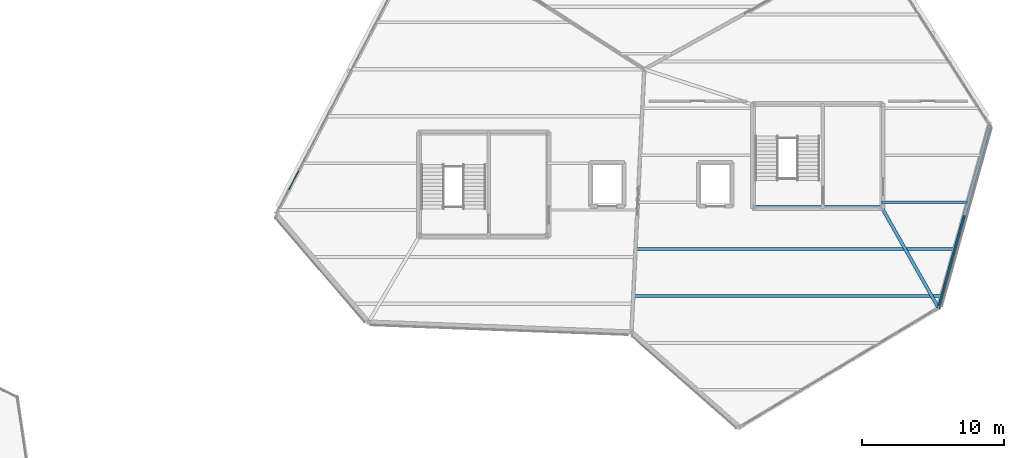
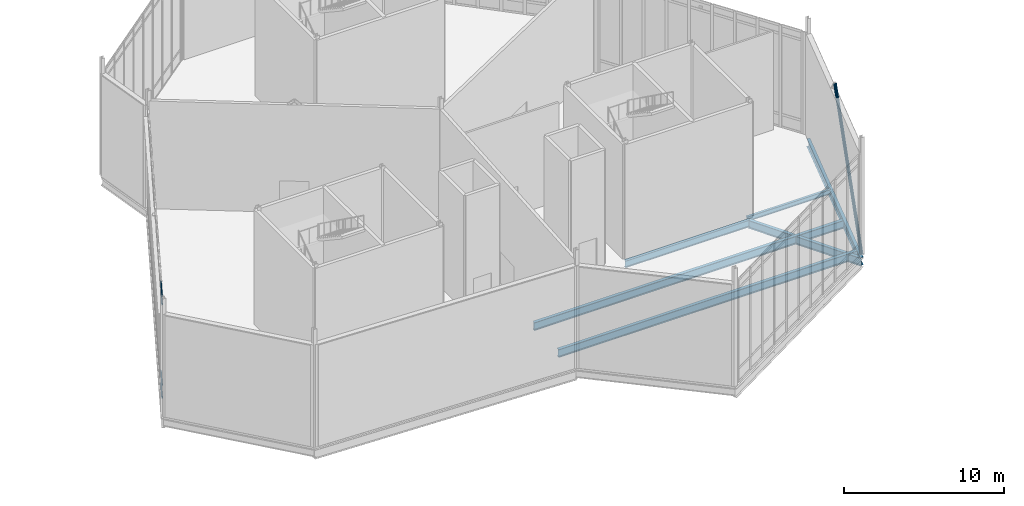
# One storey, part 34 of 66: 6 beams, 5 members, 1 element without a shape of its own.
"""IFC4 building model written with IfcOpenShell, lengths in metres."""

from ifc_helpers import new_model, si_unit, direction, frame, origin, origin_2d, place, context, subcontext, project, spatial, rectangle, hollow_circle, i_section, extrude, material, material_profile, profile_set, type_object, element, aggregate, save


model = new_model("IFC4")

# Units and contexts
model_context = context("Model", 3, precision=1e-05, world=origin(), true_north=direction((0.0, 1.0)))
body_context = subcontext(model_context, "Body", "Model", "MODEL_VIEW")
ifc_project = project(units=[si_unit("LENGTHUNIT", "METRE"), si_unit("AREAUNIT", "SQUARE_METRE"), si_unit("VOLUMEUNIT", "CUBIC_METRE"), si_unit("PLANEANGLEUNIT", "RADIAN"), si_unit("MASSUNIT", "GRAM", prefix="KILO")], contexts=[model_context])

# Site, building, storey
site_placement = place(None, origin())
site = spatial("IfcSite", under=ifc_project, at=site_placement, CompositionType="ELEMENT")
building_placement = place(site_placement, origin())
building = spatial("IfcBuilding", under=site, at=building_placement, Name="Tameran Prism Museum", CompositionType="ELEMENT")
storey_placement = place(building_placement, frame((0.0, 0.0, 19.800048828125)))
storey = spatial("IfcBuildingStorey", under=building, at=storey_placement, Name="L04", CompositionType="ELEMENT", Elevation=19.800048828125)

# Beams
ifc_material_1 = material(Name="Steel Grade 300PLUS (300 MPa)", Category="steel")
ifc_material_profile_1 = material_profile(ifc_material_1, i_section(OverallWidth=0.172119140625, OverallDepth=0.35888671875, WebThickness=0.008056640625, FlangeThickness=0.012939453125, FilletRadius=0.011474609375, at=origin_2d()))
ifc_profile_set_1 = profile_set([ifc_material_profile_1])
beam_type_1 = type_object("IfcBeamType", Name="BM-J360A", PredefinedType="JOIST", material=ifc_profile_set_1)
beam_1_placement = place(storey_placement, frame((135.47998046875, 79.75, -0.41943359375), z_axis=(1.0, 0.0, 0.0), x_axis=(0.0, 1.0, 0.0)))
element("IfcBeam", 1, at=beam_1_placement, inside=storey, type_object=beam_type_1, Name="Floor Beam BM-1212", PredefinedType="JOIST", context=body_context, shape_type="SweptSolid", body=[
    extrude(i_section(OverallWidth=0.172119140625, OverallDepth=0.35888671875, WebThickness=0.008056640625, FlangeThickness=0.012939453125, FilletRadius=0.011474609375, at=origin_2d()), origin(), (0.0, 0.0, 1.0), 6.05810546875),
])
ifc_material_2 = material(Name="Steel Grade 300PLUS (300 MPa)", Category="steel")
ifc_material_profile_2 = material_profile(ifc_material_2, i_section(OverallWidth=0.208984375, OverallDepth=0.528076171875, WebThickness=0.009521484375, FlangeThickness=0.01318359375, FilletRadius=0.013916015625, at=origin_2d()))
ifc_profile_set_2 = profile_set([ifc_material_profile_2])
beam_type_2 = type_object("IfcBeamType", Name="BM-SP530B", PredefinedType="SPANDREL", material=ifc_profile_set_2)
beam_2_placement = place(storey_placement, frame((126.52001953125, 79.419921875, -0.504150390625), z_axis=(1.0, 0.0, 0.0), x_axis=(0.0, 1.0, 0.0)))
element("IfcBeam", 2, at=beam_2_placement, inside=storey, type_object=beam_type_2, Name="Core Ring Beam CTB-1181", PredefinedType="SPANDREL", context=body_context, shape_type="SweptSolid", body=[
    extrude(i_section(OverallWidth=0.208984375, OverallDepth=0.528076171875, WebThickness=0.009521484375, FlangeThickness=0.01318359375, FilletRadius=0.013916015625, at=origin_2d()), origin(), (0.0, 0.0, 1.0), 8.9599609375),
])
ifc_material_3 = material(Name="Steel Grade 300PLUS (300 MPa)", Category="steel")
ifc_material_profile_3 = material_profile(ifc_material_3, i_section(OverallWidth=0.22802734375, OverallDepth=0.60205078125, WebThickness=0.010498046875, FlangeThickness=0.014892578125, FilletRadius=0.013916015625, at=origin_2d()))
ifc_profile_set_3 = profile_set([ifc_material_profile_3])
beam_type_3 = type_object("IfcBeamType", Name="BM-SP610", PredefinedType="SPANDREL", material=ifc_profile_set_3)
beam_3_placement = place(storey_placement, frame((139.5, 72.300048828125, -0.541015625), z_axis=(0.268807620494, 0.96319388659, 0.0), x_axis=(-0.96319388659, 0.268807620494, 0.0)))
element("IfcBeam", 3, at=beam_3_placement, inside=storey, type_object=beam_type_3, Name="Perimeter Spandrel SP-1147", PredefinedType="SPANDREL", context=body_context, shape_type="SweptSolid", body=[
    extrude(i_section(OverallWidth=0.22802734375, OverallDepth=0.60205078125, WebThickness=0.010498046875, FlangeThickness=0.014892578125, FilletRadius=0.013916015625, at=origin_2d()), origin(), (0.0, 0.0, 1.0), 13.392822265625),
])
ifc_material_4 = material(Name="Steel Grade 300PLUS (300 MPa)", Category="steel")
ifc_material_profile_4 = material_profile(ifc_material_4, i_section(OverallWidth=0.22900390625, OverallDepth=0.612060546875, WebThickness=0.011962890625, FlangeThickness=0.01953125, FilletRadius=0.013916015625, at=origin_2d()))
ifc_profile_set_4 = profile_set([ifc_material_profile_4])
beam_type_4 = type_object("IfcBeamType", Name="BM-UB610A", PredefinedType="BEAM", material=ifc_profile_set_4)
beam_4_placement = place(storey_placement, frame((135.47998046875, 79.419921875, -0.56005859375), z_axis=(0.491662661717, -0.870785752682, 0.0), x_axis=(0.870785752682, 0.491662661717, 0.0)))
element("IfcBeam", 4, at=beam_4_placement, inside=storey, type_object=beam_type_4, Name="Frame Tie Girder FG-1391", PredefinedType="BEAM", context=body_context, shape_type="SweptSolid", body=[
    extrude(i_section(OverallWidth=0.22900390625, OverallDepth=0.612060546875, WebThickness=0.011962890625, FlangeThickness=0.01953125, FilletRadius=0.013916015625, at=origin_2d()), origin(), (0.0, 0.0, 1.0), 8.17626953125),
])
ifc_material_5 = material(Name="Steel Grade 300PLUS (300 MPa)", Category="steel")
ifc_material_profile_5 = material_profile(ifc_material_5, i_section(OverallWidth=0.22802734375, OverallDepth=0.60693359375, WebThickness=0.01123046875, FlangeThickness=0.017333984375, FilletRadius=0.013916015625, at=origin_2d()))
ifc_profile_set_5 = profile_set([ifc_material_profile_5])
beam_type_5 = type_object("IfcBeamType", Name="BM-UB610B", PredefinedType="BEAM", material=ifc_profile_set_5)
beam_5_placement = place(storey_placement, frame((118.06396484375, 73.14990234375, -0.54345703125), z_axis=(1.0, 0.0, 0.0), x_axis=(0.0, 1.0, 0.0)))
element("IfcBeam", 5, at=beam_5_placement, inside=storey, type_object=beam_type_5, Name="Floor Beam BM-1209", PredefinedType="BEAM", context=body_context, shape_type="SweptSolid", body=[
    extrude(i_section(OverallWidth=0.22802734375, OverallDepth=0.60693359375, WebThickness=0.01123046875, FlangeThickness=0.017333984375, FilletRadius=0.013916015625, at=origin_2d()), origin(), (0.0, 0.0, 1.0), 21.632080078125),
])
beam_6_placement = place(storey_placement, frame((118.22509765625, 76.449951171875, -0.54345703125), z_axis=(1.0, 0.0, 0.0), x_axis=(0.0, 1.0, 0.0)))
element("IfcBeam", 6, at=beam_6_placement, inside=storey, type_object=beam_type_5, Name="Floor Beam BM-1210", PredefinedType="BEAM", context=body_context, shape_type="SweptSolid", body=[
    extrude(i_section(OverallWidth=0.22802734375, OverallDepth=0.60693359375, WebThickness=0.01123046875, FlangeThickness=0.017333984375, FilletRadius=0.013916015625, at=origin_2d()), origin(), (0.0, 0.0, 1.0), 22.391845703125),
])

# Curtain wall, members
ifc_material_6 = material(Name="Anodised Aluminium 6063-T6 and Cyclone Solar Glass", Category="aluminium")
curtain_wall_type = type_object("IfcCurtainWallType", Name="CW-FAC-2192x782", PredefinedType="USERDEFINED", material=ifc_material_6)
curtain_wall_placement = place(storey_placement, origin())
curtain_wall = element("IfcCurtainWall", 7, at=curtain_wall_placement, inside=storey, type_object=curtain_wall_type, Name="Unitised Curtain Wall CW-151", ObjectType="UNITISED CURTAIN WALL", PredefinedType="USERDEFINED")
ifc_material_7 = material(Name="Anodised Aluminium Alloy 6063-T6", Category="aluminium")
ifc_material_profile_6 = material_profile(ifc_material_7, rectangle(XDim=0.06494140625, YDim=0.139892578125, at=origin_2d()))
ifc_profile_set_6 = profile_set([ifc_material_profile_6])
member_type_1 = type_object("IfcMemberType", Name="CW-TRN-A", PredefinedType="USERDEFINED", material=ifc_profile_set_6)
member_1_placement = place(storey_placement, frame((93.802001953125, 80.62646484375, 0.032470703125), z_axis=(0.462894043203, 0.886413619462, 0.0), x_axis=(-0.886413619462, 0.462894043203, 0.0)))
member_1 = element("IfcMember", 8, at=member_1_placement, type_object=member_type_1, Name="CW-151 transom 2.1", ObjectType="TRANSOM", PredefinedType="USERDEFINED", context=body_context, shape_type="SweptSolid", body=[
    extrude(rectangle(XDim=0.06494140625, YDim=0.139892578125, at=origin_2d()), origin(), (0.0, 0.0, 1.0), 1.50048828125),
])
member_2_placement = place(storey_placement, frame((93.802001953125, 80.62646484375, 1.0), z_axis=(0.462894043203, 0.886413619462, 0.0), x_axis=(-0.886413619462, 0.462894043203, 0.0)))
member_2 = element("IfcMember", 9, at=member_2_placement, type_object=member_type_1, Name="CW-151 transom 2.2", ObjectType="TRANSOM", PredefinedType="USERDEFINED", context=body_context, shape_type="SweptSolid", body=[
    extrude(rectangle(XDim=0.06494140625, YDim=0.139892578125, at=origin_2d()), origin(), (0.0, 0.0, 1.0), 1.50048828125),
])
member_3_placement = place(storey_placement, frame((93.802001953125, 80.62646484375, 7.139892578125), z_axis=(0.462894043203, 0.886413619462, 0.0), x_axis=(-0.886413619462, 0.462894043203, 0.0)))
member_3 = element("IfcMember", 10, at=member_3_placement, type_object=member_type_1, Name="CW-151 transom 2.3", ObjectType="TRANSOM", PredefinedType="USERDEFINED", context=body_context, shape_type="SweptSolid", body=[
    extrude(rectangle(XDim=0.06494140625, YDim=0.139892578125, at=origin_2d()), origin(), (0.0, 0.0, 1.0), 1.50048828125),
])
member_4_placement = place(storey_placement, frame((93.802001953125, 80.62646484375, 7.787353515625), z_axis=(0.462894043203, 0.886413619462, 0.0), x_axis=(-0.886413619462, 0.462894043203, 0.0)))
member_4 = element("IfcMember", 11, at=member_4_placement, type_object=member_type_1, Name="CW-151 transom 2.4", ObjectType="TRANSOM", PredefinedType="USERDEFINED", context=body_context, shape_type="SweptSolid", body=[
    extrude(rectangle(XDim=0.06494140625, YDim=0.139892578125, at=origin_2d()), origin(), (0.0, 0.0, 1.0), 1.50048828125),
])
aggregate(curtain_wall, [member_1, member_2, member_3, member_4])

# Member
ifc_material_8 = material(Name="Steel Grade C350L0 (350 MPa)", Category="steel")
ifc_material_profile_7 = material_profile(ifc_material_8, hollow_circle(Radius=0.109619140625, WallThickness=0.00830078125, at=origin_2d()))
ifc_profile_set_7 = profile_set([ifc_material_profile_7])
member_type_2 = type_object("IfcMemberType", Name="MM-BR-CHS219", PredefinedType="BRACE", material=ifc_profile_set_7)
member_5_placement = place(storey_placement, frame((139.5, 72.300048828125, 0.0), z_axis=(0.166349151031, 0.596063776088, 0.785516349153), x_axis=(-0.96319388659, 0.268807620494, 0.0)))
element("IfcMember", 12, at=member_5_placement, inside=storey, type_object=member_type_2, Name="Lateral Chevron Brace CBF-031", PredefinedType="BRACE", context=body_context, shape_type="SweptSolid", body=[
    extrude(hollow_circle(Radius=0.109619140625, WallThickness=0.00830078125, at=origin_2d()), origin(), (0.0, 0.0, 1.0), 10.82080078125),
])

save(model, "model.ifc")
